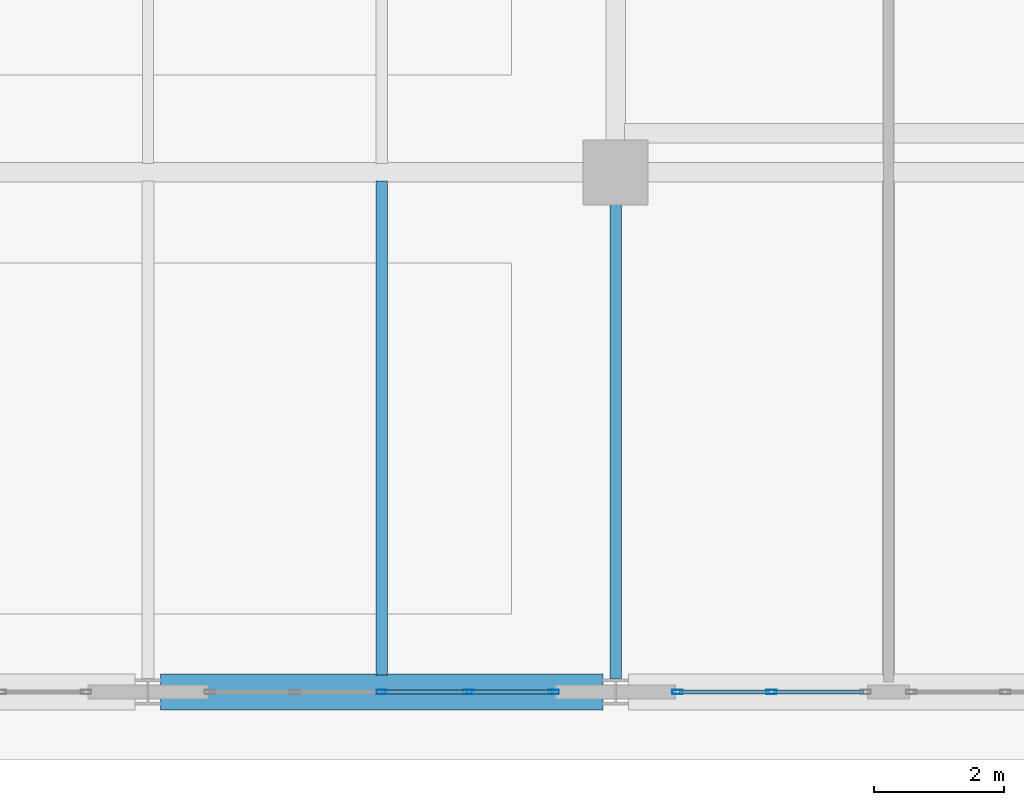
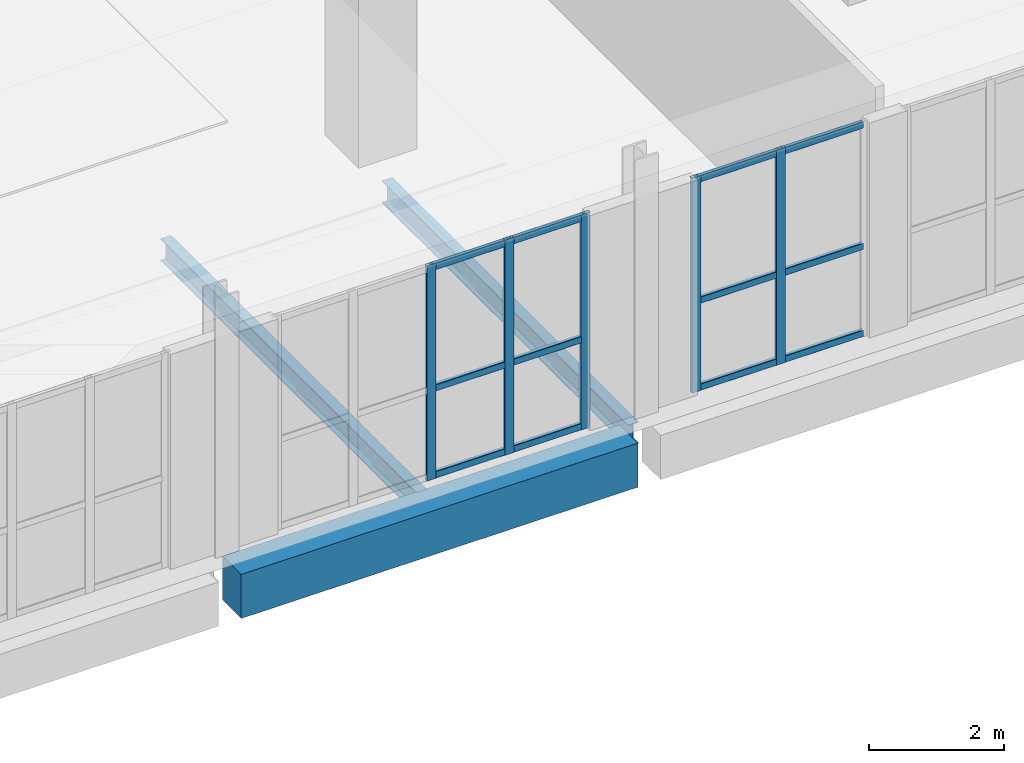
# One storey, part 9 of 36: 17 members, 3 beams, 2 elements without a shape of their own.
"""IFC4 building model written with IfcOpenShell, lengths in metres."""

from ifc_helpers import new_model, si_unit, direction, frame, origin, origin_2d, place, context, subcontext, project, spatial, rectangle, hollow_rectangle, i_section, extrude, material, layer, layer_set, material_profile, profile_set, type_object, element, aggregate, save


model = new_model("IFC4")

# Units and contexts
model_context = context("Model", 3, precision=1e-05, world=origin(), true_north=direction((0.0, 1.0)))
body_context = subcontext(model_context, "Body", "Model", "MODEL_VIEW")
ifc_project = project(units=[si_unit("LENGTHUNIT", "METRE"), si_unit("AREAUNIT", "SQUARE_METRE"), si_unit("VOLUMEUNIT", "CUBIC_METRE"), si_unit("PLANEANGLEUNIT", "RADIAN"), si_unit("MASSUNIT", "GRAM", prefix="KILO")], contexts=[model_context])

# Site, building, storey
site_placement = place(None, origin())
site = spatial("IfcSite", under=ifc_project, at=site_placement, CompositionType="ELEMENT")
building_placement = place(site_placement, origin())
building = spatial("IfcBuilding", under=site, at=building_placement, Name="Kaelvorn Grand Hotel", CompositionType="ELEMENT")
storey_placement = place(building_placement, frame((0.0, 0.0, 305.699951171875)))
storey = spatial("IfcBuildingStorey", under=building, at=storey_placement, Name="L74", CompositionType="ELEMENT", Elevation=305.699951171875)

# Beams
ifc_material_1 = material(Name="Steel S355", Category="steel")
ifc_material_profile_1 = material_profile(ifc_material_1, i_section(OverallWidth=0.179931640625, OverallDepth=0.39990234375, WebThickness=0.008544921875, FlangeThickness=0.013427734375, FilletRadius=0.02099609375, at=origin_2d()), Name="IPE 400")
ifc_profile_set_1 = profile_set([ifc_material_profile_1], Name="Steel S355")
beam_type_1 = type_object("IfcBeamType", Name="BM-J-IPE400-S355", PredefinedType="JOIST", material=ifc_profile_set_1)
beam_1_placement = place(storey_placement, frame((34.199951171875, 7.260009765625, -0.579833984375), z_axis=(0.0, 1.0, 0.0), x_axis=(-1.0, 0.0, 0.0)))
element("IfcBeam", 1, at=beam_1_placement, inside=storey, type_object=beam_type_1, Name="L74 Composite Floor Joist JS-10", PredefinedType="JOIST", context=body_context, shape_type="SweptSolid", body=[
    extrude(i_section(OverallWidth=0.179931640625, OverallDepth=0.39990234375, WebThickness=0.008544921875, FlangeThickness=0.013427734375, FilletRadius=0.02099609375, at=origin_2d()), origin(), (0.0, 0.0, 1.0), 7.60400390625),
])
beam_2_placement = place(storey_placement, frame((37.800048828125, 7.205078125, -0.579833984375), z_axis=(0.0, 1.0, 0.0), x_axis=(-1.0, 0.0, 0.0)))
element("IfcBeam", 2, at=beam_2_placement, inside=storey, type_object=beam_type_1, Name="L74 Composite Floor Joist JS-11", PredefinedType="JOIST", context=body_context, shape_type="SweptSolid", body=[
    extrude(i_section(OverallWidth=0.179931640625, OverallDepth=0.39990234375, WebThickness=0.008544921875, FlangeThickness=0.013427734375, FilletRadius=0.02099609375, at=origin_2d()), origin(), (0.0, 0.0, 1.0), 7.309814453125),
])
ifc_material_2 = material(Name="Concrete C50/60", Category="concrete")
ifc_material_profile_2 = material_profile(ifc_material_2, rectangle(XDim=0.550048828125, YDim=0.800048828125, at=origin_2d()), Name="RC SPANDREL 550x800")
ifc_profile_set_2 = profile_set([ifc_material_profile_2], Name="Concrete C50/60")
beam_type_2 = type_object("IfcBeamType", Name="BM-SP-550x800-C50", PredefinedType="SPANDREL", material=ifc_profile_set_2)
beam_3_placement = place(storey_placement, frame((30.794921875, 7.0, -0.780029296875), z_axis=(1.0, 0.0, 0.0), x_axis=(0.0, 1.0, 0.0)))
element("IfcBeam", 3, at=beam_3_placement, inside=storey, type_object=beam_type_2, Name="L74 South Perimeter Spandrel 04", PredefinedType="SPANDREL", context=body_context, shape_type="SweptSolid", body=[
    extrude(rectangle(XDim=0.550048828125, YDim=0.800048828125, at=origin_2d()), origin(), (0.0, 0.0, 1.0), 6.81005859375),
])

# Curtain wall, members
ifc_material_3 = material(Name="Anodised Aluminium", Category="aluminium")
ifc_layer = layer(ifc_material_3, 0.159912109375)
ifc_layer_set = layer_set([ifc_layer], Name="Anodised Aluminium")
curtain_wall_type = type_object("IfcCurtainWallType", Name="CW-SYS6", PredefinedType="NOTDEFINED", material=ifc_layer_set)
curtain_wall_1_placement = place(storey_placement, origin())
curtain_wall_1 = element("IfcCurtainWall", 4, at=curtain_wall_1_placement, inside=storey, type_object=curtain_wall_type, Name="L74 Unitised Curtain Wall CW6 (CW-L74-S-03)", PredefinedType="NOTDEFINED")
ifc_material_profile_3 = material_profile(ifc_material_3, hollow_rectangle(XDim=0.06494140625, YDim=0.159912109375, WallThickness=0.00341796875, InnerFilletRadius=0.00341796875, OuterFilletRadius=0.007080078125, at=origin_2d()), Name="ALU MULL 65x160")
ifc_profile_set_3 = profile_set([ifc_material_profile_3], Name="Anodised Aluminium")
member_type_1 = type_object("IfcMemberType", Name="CW-SYS6-MULL", PredefinedType="MULLION", material=ifc_profile_set_3)
member_1_placement = place(storey_placement, frame((34.199951171875, 7.0, 0.0), z_axis=(0.0, 0.0, 1.0), x_axis=(0.0, 1.0, 0.0)))
member_1 = element("IfcMember", 5, at=member_1_placement, type_object=member_type_1, Name="CW6 mullion 3", PredefinedType="MULLION", context=body_context, shape_type="SweptSolid", body=[
    extrude(hollow_rectangle(XDim=0.06494140625, YDim=0.159912109375, WallThickness=0.00341796875, InnerFilletRadius=0.00341796875, OuterFilletRadius=0.007080078125, at=origin_2d()), origin(), (0.0, 0.0, 1.0), 3.900146484375),
])
member_2_placement = place(storey_placement, frame((35.5400390625, 7.0, 0.0), z_axis=(0.0, 0.0, 1.0), x_axis=(0.0, 1.0, 0.0)))
member_2 = element("IfcMember", 6, at=member_2_placement, type_object=member_type_1, Name="CW6 mullion 4", PredefinedType="MULLION", context=body_context, shape_type="SweptSolid", body=[
    extrude(hollow_rectangle(XDim=0.06494140625, YDim=0.159912109375, WallThickness=0.00341796875, InnerFilletRadius=0.00341796875, OuterFilletRadius=0.007080078125, at=origin_2d()), origin(), (0.0, 0.0, 1.0), 3.900146484375),
])
member_3_placement = place(storey_placement, frame((36.847412109375, 7.0, 0.0), z_axis=(0.0, 0.0, 1.0), x_axis=(0.0, 1.0, 0.0)))
member_3 = element("IfcMember", 7, at=member_3_placement, type_object=member_type_1, Name="CW6 mullion 5", PredefinedType="MULLION", context=body_context, shape_type="SweptSolid", body=[
    extrude(hollow_rectangle(XDim=0.06494140625, YDim=0.159912109375, WallThickness=0.00341796875, InnerFilletRadius=0.00341796875, OuterFilletRadius=0.007080078125, at=origin_2d()), origin(), (0.0, 0.0, 1.0), 3.900146484375),
])

curtain_wall_2_placement = place(storey_placement, origin())
curtain_wall_2 = element("IfcCurtainWall", 8, at=curtain_wall_2_placement, inside=storey, type_object=curtain_wall_type, Name="L74 Unitised Curtain Wall CW6 (CW-L74-S-04)", PredefinedType="NOTDEFINED")
member_4_placement = place(storey_placement, frame((38.75244140625, 7.0, 0.0), z_axis=(0.0, 0.0, 1.0), x_axis=(0.0, 1.0, 0.0)))
member_4 = element("IfcMember", 9, at=member_4_placement, type_object=member_type_1, Name="CW6 mullion 1", PredefinedType="MULLION", context=body_context, shape_type="SweptSolid", body=[
    extrude(hollow_rectangle(XDim=0.06494140625, YDim=0.159912109375, WallThickness=0.00341796875, InnerFilletRadius=0.00341796875, OuterFilletRadius=0.007080078125, at=origin_2d()), origin(), (0.0, 0.0, 1.0), 3.900146484375),
])
member_5_placement = place(storey_placement, frame((40.199951171875, 7.0, 0.0), z_axis=(0.0, 0.0, 1.0), x_axis=(0.0, 1.0, 0.0)))
member_5 = element("IfcMember", 10, at=member_5_placement, type_object=member_type_1, Name="CW6 mullion 2", PredefinedType="MULLION", context=body_context, shape_type="SweptSolid", body=[
    extrude(hollow_rectangle(XDim=0.06494140625, YDim=0.159912109375, WallThickness=0.00341796875, InnerFilletRadius=0.00341796875, OuterFilletRadius=0.007080078125, at=origin_2d()), origin(), (0.0, 0.0, 1.0), 3.900146484375),
])

# Member
ifc_material_profile_4 = material_profile(ifc_material_3, hollow_rectangle(XDim=0.06494140625, YDim=0.1201171875, WallThickness=0.00341796875, InnerFilletRadius=0.00341796875, OuterFilletRadius=0.007080078125, at=origin_2d()), Name="ALU TRAN 65x120")
ifc_profile_set_4 = profile_set([ifc_material_profile_4], Name="Anodised Aluminium")
member_type_2 = type_object("IfcMemberType", Name="CW-SYS6-TRAN", PredefinedType="NOTDEFINED", material=ifc_profile_set_4)
member_6_placement = place(storey_placement, frame((34.232421875, 7.0, 0.06005859375), z_axis=(1.0, 0.0, 0.0), x_axis=(0.0, 1.0, 0.0)))
member_6 = element("IfcMember", 11, at=member_6_placement, type_object=member_type_2, Name="CW6 transom 3.1", ObjectType="TRANSOM", PredefinedType="USERDEFINED", context=body_context, shape_type="SweptSolid", body=[
    extrude(hollow_rectangle(XDim=0.06494140625, YDim=0.1201171875, WallThickness=0.00341796875, InnerFilletRadius=0.00341796875, OuterFilletRadius=0.007080078125, at=origin_2d()), origin(), (0.0, 0.0, 1.0), 1.275146484375),
])

member_7_placement = place(storey_placement, frame((34.232421875, 7.0, 1.637939453125), z_axis=(1.0, 0.0, 0.0), x_axis=(0.0, 1.0, 0.0)))
member_7 = element("IfcMember", 12, at=member_7_placement, type_object=member_type_2, Name="CW6 transom 3.2", ObjectType="TRANSOM", PredefinedType="USERDEFINED", context=body_context, shape_type="SweptSolid", body=[
    extrude(hollow_rectangle(XDim=0.06494140625, YDim=0.1201171875, WallThickness=0.00341796875, InnerFilletRadius=0.00341796875, OuterFilletRadius=0.007080078125, at=origin_2d()), origin(), (0.0, 0.0, 1.0), 1.275146484375),
])

member_8_placement = place(storey_placement, frame((34.232421875, 7.0, 3.840087890625), z_axis=(1.0, 0.0, 0.0), x_axis=(0.0, 1.0, 0.0)))
member_8 = element("IfcMember", 13, at=member_8_placement, type_object=member_type_2, Name="CW6 transom 3.3", ObjectType="TRANSOM", PredefinedType="USERDEFINED", context=body_context, shape_type="SweptSolid", body=[
    extrude(hollow_rectangle(XDim=0.06494140625, YDim=0.1201171875, WallThickness=0.00341796875, InnerFilletRadius=0.00341796875, OuterFilletRadius=0.007080078125, at=origin_2d()), origin(), (0.0, 0.0, 1.0), 1.275146484375),
])

member_9_placement = place(storey_placement, frame((35.572509765625, 7.0, 0.06005859375), z_axis=(1.0, 0.0, 0.0), x_axis=(0.0, 1.0, 0.0)))
member_9 = element("IfcMember", 14, at=member_9_placement, type_object=member_type_2, Name="CW6 transom 4.1", ObjectType="TRANSOM", PredefinedType="USERDEFINED", context=body_context, shape_type="SweptSolid", body=[
    extrude(hollow_rectangle(XDim=0.06494140625, YDim=0.1201171875, WallThickness=0.00341796875, InnerFilletRadius=0.00341796875, OuterFilletRadius=0.007080078125, at=origin_2d()), origin(), (0.0, 0.0, 1.0), 1.242431640625),
])

member_10_placement = place(storey_placement, frame((35.572509765625, 7.0, 1.637939453125), z_axis=(1.0, 0.0, 0.0), x_axis=(0.0, 1.0, 0.0)))
member_10 = element("IfcMember", 15, at=member_10_placement, type_object=member_type_2, Name="CW6 transom 4.2", ObjectType="TRANSOM", PredefinedType="USERDEFINED", context=body_context, shape_type="SweptSolid", body=[
    extrude(hollow_rectangle(XDim=0.06494140625, YDim=0.1201171875, WallThickness=0.00341796875, InnerFilletRadius=0.00341796875, OuterFilletRadius=0.007080078125, at=origin_2d()), origin(), (0.0, 0.0, 1.0), 1.242431640625),
])

member_11_placement = place(storey_placement, frame((35.572509765625, 7.0, 3.840087890625), z_axis=(1.0, 0.0, 0.0), x_axis=(0.0, 1.0, 0.0)))
member_11 = element("IfcMember", 16, at=member_11_placement, type_object=member_type_2, Name="CW6 transom 4.3", ObjectType="TRANSOM", PredefinedType="USERDEFINED", context=body_context, shape_type="SweptSolid", body=[
    extrude(hollow_rectangle(XDim=0.06494140625, YDim=0.1201171875, WallThickness=0.00341796875, InnerFilletRadius=0.00341796875, OuterFilletRadius=0.007080078125, at=origin_2d()), origin(), (0.0, 0.0, 1.0), 1.242431640625),
])

aggregate(curtain_wall_1, [member_1, member_2, member_3, member_6, member_7, member_8, member_9, member_10, member_11])

member_12_placement = place(storey_placement, frame((38.784912109375, 7.0, 0.06005859375), z_axis=(1.0, 0.0, 0.0), x_axis=(0.0, 1.0, 0.0)))
member_12 = element("IfcMember", 17, at=member_12_placement, type_object=member_type_2, Name="CW6 transom 1.1", ObjectType="TRANSOM", PredefinedType="USERDEFINED", context=body_context, shape_type="SweptSolid", body=[
    extrude(hollow_rectangle(XDim=0.06494140625, YDim=0.1201171875, WallThickness=0.00341796875, InnerFilletRadius=0.00341796875, OuterFilletRadius=0.007080078125, at=origin_2d()), origin(), (0.0, 0.0, 1.0), 1.382568359375),
])

member_13_placement = place(storey_placement, frame((38.784912109375, 7.0, 1.637939453125), z_axis=(1.0, 0.0, 0.0), x_axis=(0.0, 1.0, 0.0)))
member_13 = element("IfcMember", 18, at=member_13_placement, type_object=member_type_2, Name="CW6 transom 1.2", ObjectType="TRANSOM", PredefinedType="USERDEFINED", context=body_context, shape_type="SweptSolid", body=[
    extrude(hollow_rectangle(XDim=0.06494140625, YDim=0.1201171875, WallThickness=0.00341796875, InnerFilletRadius=0.00341796875, OuterFilletRadius=0.007080078125, at=origin_2d()), origin(), (0.0, 0.0, 1.0), 1.382568359375),
])

member_14_placement = place(storey_placement, frame((38.784912109375, 7.0, 3.840087890625), z_axis=(1.0, 0.0, 0.0), x_axis=(0.0, 1.0, 0.0)))
member_14 = element("IfcMember", 19, at=member_14_placement, type_object=member_type_2, Name="CW6 transom 1.3", ObjectType="TRANSOM", PredefinedType="USERDEFINED", context=body_context, shape_type="SweptSolid", body=[
    extrude(hollow_rectangle(XDim=0.06494140625, YDim=0.1201171875, WallThickness=0.00341796875, InnerFilletRadius=0.00341796875, OuterFilletRadius=0.007080078125, at=origin_2d()), origin(), (0.0, 0.0, 1.0), 1.382568359375),
])

member_15_placement = place(storey_placement, frame((40.232421875, 7.0, 0.06005859375), z_axis=(1.0, 0.0, 0.0), x_axis=(0.0, 1.0, 0.0)))
member_15 = element("IfcMember", 20, at=member_15_placement, type_object=member_type_2, Name="CW6 transom 2.1", ObjectType="TRANSOM", PredefinedType="USERDEFINED", context=body_context, shape_type="SweptSolid", body=[
    extrude(hollow_rectangle(XDim=0.06494140625, YDim=0.1201171875, WallThickness=0.00341796875, InnerFilletRadius=0.00341796875, OuterFilletRadius=0.007080078125, at=origin_2d()), origin(), (0.0, 0.0, 1.0), 1.382568359375),
])

member_16_placement = place(storey_placement, frame((40.232421875, 7.0, 1.637939453125), z_axis=(1.0, 0.0, 0.0), x_axis=(0.0, 1.0, 0.0)))
member_16 = element("IfcMember", 21, at=member_16_placement, type_object=member_type_2, Name="CW6 transom 2.2", ObjectType="TRANSOM", PredefinedType="USERDEFINED", context=body_context, shape_type="SweptSolid", body=[
    extrude(hollow_rectangle(XDim=0.06494140625, YDim=0.1201171875, WallThickness=0.00341796875, InnerFilletRadius=0.00341796875, OuterFilletRadius=0.007080078125, at=origin_2d()), origin(), (0.0, 0.0, 1.0), 1.382568359375),
])

member_17_placement = place(storey_placement, frame((40.232421875, 7.0, 3.840087890625), z_axis=(1.0, 0.0, 0.0), x_axis=(0.0, 1.0, 0.0)))
member_17 = element("IfcMember", 22, at=member_17_placement, type_object=member_type_2, Name="CW6 transom 2.3", ObjectType="TRANSOM", PredefinedType="USERDEFINED", context=body_context, shape_type="SweptSolid", body=[
    extrude(hollow_rectangle(XDim=0.06494140625, YDim=0.1201171875, WallThickness=0.00341796875, InnerFilletRadius=0.00341796875, OuterFilletRadius=0.007080078125, at=origin_2d()), origin(), (0.0, 0.0, 1.0), 1.382568359375),
])

aggregate(curtain_wall_2, [member_4, member_5, member_12, member_13, member_14, member_15, member_16, member_17])

save(model, "model.ifc")
